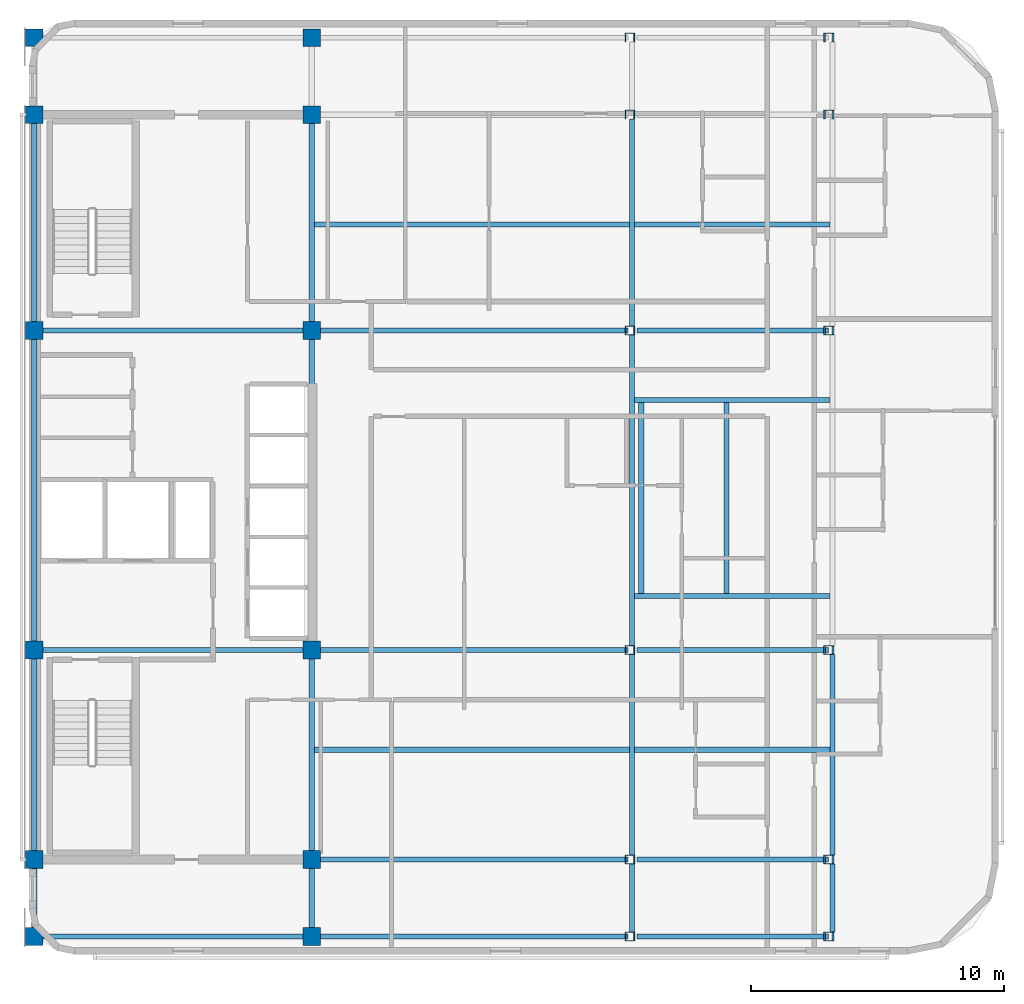
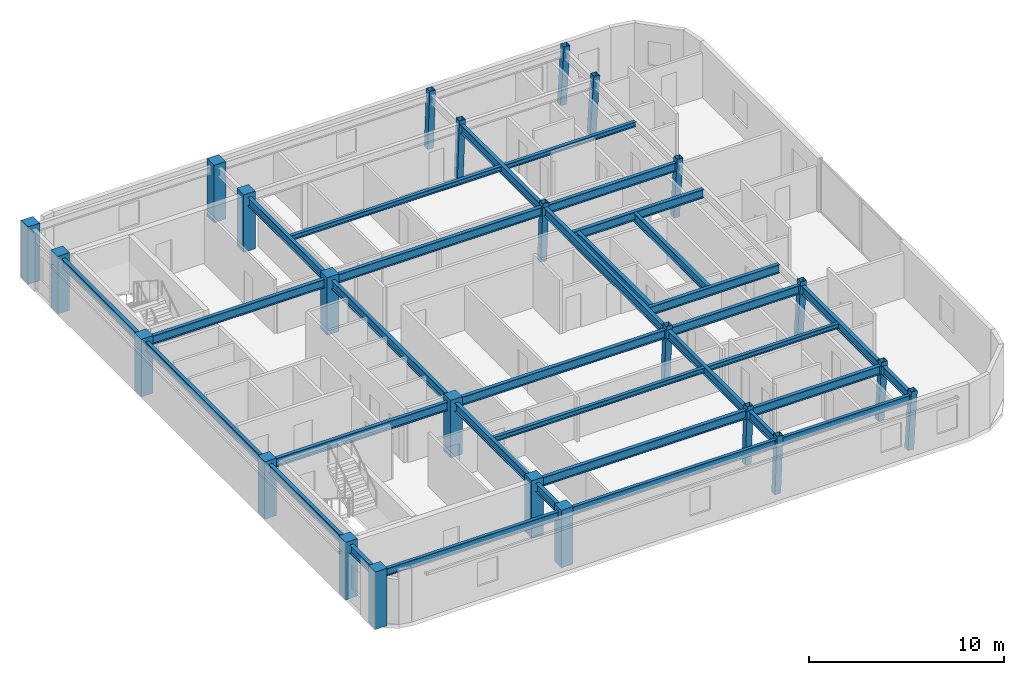
# One storey, part 1 of 10: 33 beams, 24 columns.
"""IFC4 building model written with IfcOpenShell, lengths in metres."""

from ifc_helpers import new_model, si_unit, direction, frame, origin, origin_2d, place, context, subcontext, project, spatial, rectangle, hollow_rectangle, i_section, extrude, material, material_profile, profile_set, type_object, element, save


model = new_model("IFC4")

# Units and contexts
model_context = context("Model", 3, precision=1e-05, world=origin(), true_north=direction((0.0, 1.0)))
body_context = subcontext(model_context, "Body", "Model", "MODEL_VIEW")
ifc_project = project(units=[si_unit("LENGTHUNIT", "METRE"), si_unit("AREAUNIT", "SQUARE_METRE"), si_unit("VOLUMEUNIT", "CUBIC_METRE"), si_unit("PLANEANGLEUNIT", "RADIAN"), si_unit("MASSUNIT", "GRAM", prefix="KILO")], contexts=[model_context])

# Site, building, storey
site_placement = place(None, origin())
site = spatial("IfcSite", under=ifc_project, at=site_placement, CompositionType="ELEMENT")
building_placement = place(site_placement, origin())
building = spatial("IfcBuilding", under=site, at=building_placement, Name="Ochreholt Gables", CompositionType="ELEMENT")
storey_placement = place(building_placement, frame((0.0, 0.0, 223.800048828125)))
storey = spatial("IfcBuildingStorey", under=building, at=storey_placement, Name="L58", CompositionType="ELEMENT", Elevation=223.800048828125)

# Columns
ifc_material_1 = material(Name="Steel CSA G40.21 350W", Category="steel")
ifc_material_profile_1 = material_profile(ifc_material_1, hollow_rectangle(XDim=0.35595703125, YDim=0.35595703125, WallThickness=0.01611328125, at=origin_2d()), Name="HSS356X356X16")
ifc_profile_set_1 = profile_set([ifc_material_profile_1], Name="Steel CSA G40.21 350W")
column_type_1 = type_object("IfcColumnType", Name="COL-HSS356-RAK", PredefinedType="COLUMN", material=ifc_profile_set_1)
for number, where, z_axis, x_axis, name in (
    (1, (47.76904296875, 9.25, 0.0), (0.034973505036, 0.0, 0.999388239847), (0.0, 1.0, 0.0), "L58 Column EMY2"),
    (2, (47.76904296875, 17.550048828125, 0.0), (0.034973505036, 0.0, 0.999388239847), (0.0, 1.0, 0.0), "L58 Column EMY3"),
    (3, (47.76904296875, 30.199951171875, 0.0), (0.034973505036, 0.0, 0.999388239847), (0.0, 1.0, 0.0), "L58 Column EMY4"),
    (4, (47.76904296875, 38.75, 0.0), (0.034973505036, 0.0, 0.999388239847), (0.0, 1.0, 0.0), "L58 Column EMY5"),
):
    element("IfcColumn", number, at=place(storey_placement, frame(where, z_axis=z_axis, x_axis=x_axis)), inside=storey, type_object=column_type_1, Name=name, PredefinedType="COLUMN", context=body_context, shape_type="SweptSolid", body=[
        extrude(hollow_rectangle(XDim=0.35595703125, YDim=0.35595703125, WallThickness=0.01611328125, at=origin_2d()), origin(), (0.0, 0.0, 1.0), 3.60205078125),
    ])
ifc_material_profile_2 = material_profile(ifc_material_1, hollow_rectangle(XDim=0.35595703125, YDim=0.35595703125, WallThickness=0.01611328125, at=origin_2d()), Name="HSS356X356X16")
ifc_profile_set_2 = profile_set([ifc_material_profile_2], Name="Steel CSA G40.21 350W")
column_type_2 = type_object("IfcColumnType", Name="COL-HSS356-RAKE", PredefinedType="COLUMN", material=ifc_profile_set_2)
for number, where, z_axis, x_axis, name in (
    (5, (47.76904296875, 6.199951171875, 0.0), (0.034973505036, 0.0, 0.999388239847), (0.0, 1.0, 0.0), "L58 Column EMY1"),
    (6, (47.76904296875, 41.800048828125, 0.0), (0.034973505036, 0.0, 0.999388239847), (0.0, 1.0, 0.0), "L58 Column EMY6"),
):
    element("IfcColumn", number, at=place(storey_placement, frame(where, z_axis=z_axis, x_axis=x_axis)), inside=storey, type_object=column_type_2, Name=name, PredefinedType="COLUMN", context=body_context, shape_type="SweptSolid", body=[
        extrude(hollow_rectangle(XDim=0.35595703125, YDim=0.35595703125, WallThickness=0.01611328125, at=origin_2d()), origin(), (0.0, 0.0, 1.0), 3.60205078125),
    ])
for number, where, z_axis, x_axis, name in (
    (7, (55.63720703125, 6.199951171875, 0.0), (0.057888518877, 0.0, 0.998323053617), (0.0, 1.0, 0.0), "L58 Column EEY1"),
    (8, (55.63720703125, 9.25, 0.0), (0.057888518877, 0.0, 0.998323053617), (0.0, 1.0, 0.0), "L58 Column EEY2"),
    (9, (55.63720703125, 17.550048828125, 0.0), (0.057888518877, 0.0, 0.998323053617), (0.0, 1.0, 0.0), "L58 Column EEY3"),
    (10, (55.63720703125, 30.199951171875, 0.0), (0.057888518877, 0.0, 0.998323053617), (0.0, 1.0, 0.0), "L58 Column EEY4"),
    (11, (55.63720703125, 38.75, 0.0), (0.057888518877, 0.0, 0.998323053617), (0.0, 1.0, 0.0), "L58 Column EEY5"),
    (12, (55.63720703125, 41.800048828125, 0.0), (0.057888518877, 0.0, 0.998323053617), (0.0, 1.0, 0.0), "L58 Column EEY6"),
):
    element("IfcColumn", number, at=place(storey_placement, frame(where, z_axis=z_axis, x_axis=x_axis)), inside=storey, type_object=column_type_2, Name=name, PredefinedType="COLUMN", context=body_context, shape_type="SweptSolid", body=[
        extrude(hollow_rectangle(XDim=0.35595703125, YDim=0.35595703125, WallThickness=0.01611328125, at=origin_2d()), origin(), (0.0, 0.0, 1.0), 3.60595703125),
    ])
ifc_material_2 = material(Name="Concrete 50 MPa", Category="concrete")
ifc_material_profile_3 = material_profile(ifc_material_2, rectangle(XDim=0.699951171875, YDim=0.699951171875, at=origin_2d()), Name="RC700X700")
ifc_profile_set_3 = profile_set([ifc_material_profile_3], Name="Concrete 50 MPa")
column_type_3 = type_object("IfcColumnType", Name="COL-RC700-EXT", PredefinedType="COLUMN", material=ifc_profile_set_3)
for number, where, z_axis, x_axis, name in (
    (13, (24.199951171875, 6.199951171875, 0.0), (0.0, 0.0, 1.0), (1.0, 0.0, 0.0), "L58 Column C1Y1"),
    (14, (24.199951171875, 9.25, 0.0), (0.0, 0.0, 1.0), (1.0, 0.0, 0.0), "L58 Column C1Y2"),
    (15, (24.199951171875, 17.550048828125, 0.0), (0.0, 0.0, 1.0), (1.0, 0.0, 0.0), "L58 Column C1Y3"),
    (16, (24.199951171875, 30.199951171875, 0.0), (0.0, 0.0, 1.0), (1.0, 0.0, 0.0), "L58 Column C1Y4"),
    (17, (24.199951171875, 38.75, 0.0), (0.0, 0.0, 1.0), (1.0, 0.0, 0.0), "L58 Column C1Y5"),
    (18, (24.199951171875, 41.800048828125, 0.0), (0.0, 0.0, 1.0), (1.0, 0.0, 0.0), "L58 Column C1Y6"),
    (19, (35.199951171875, 6.199951171875, 0.0), (0.0, 0.0, 1.0), (1.0, 0.0, 0.0), "L58 Column C2Y1"),
    (20, (35.199951171875, 41.800048828125, 0.0), (0.0, 0.0, 1.0), (1.0, 0.0, 0.0), "L58 Column C2Y6"),
):
    element("IfcColumn", number, at=place(storey_placement, frame(where, z_axis=z_axis, x_axis=x_axis)), inside=storey, type_object=column_type_3, Name=name, PredefinedType="COLUMN", context=body_context, shape_type="SweptSolid", body=[
        extrude(rectangle(XDim=0.699951171875, YDim=0.699951171875, at=origin_2d()), origin(), (0.0, 0.0, 1.0), 3.599853515625),
    ])
ifc_material_profile_4 = material_profile(ifc_material_2, rectangle(XDim=0.699951171875, YDim=0.699951171875, at=origin_2d()), Name="RC700X700")
ifc_profile_set_4 = profile_set([ifc_material_profile_4], Name="Concrete 50 MPa")
column_type_4 = type_object("IfcColumnType", Name="COL-RC700-INT", PredefinedType="COLUMN", material=ifc_profile_set_4)
for number, where, z_axis, x_axis, name in (
    (21, (35.199951171875, 9.25, 0.0), (0.0, 0.0, 1.0), (1.0, 0.0, 0.0), "L58 Column C2Y2"),
    (22, (35.199951171875, 17.550048828125, 0.0), (0.0, 0.0, 1.0), (1.0, 0.0, 0.0), "L58 Column C2Y3"),
    (23, (35.199951171875, 30.199951171875, 0.0), (0.0, 0.0, 1.0), (1.0, 0.0, 0.0), "L58 Column C2Y4"),
    (24, (35.199951171875, 38.75, 0.0), (0.0, 0.0, 1.0), (1.0, 0.0, 0.0), "L58 Column C2Y5"),
):
    element("IfcColumn", number, at=place(storey_placement, frame(where, z_axis=z_axis, x_axis=x_axis)), inside=storey, type_object=column_type_4, Name=name, PredefinedType="COLUMN", context=body_context, shape_type="SweptSolid", body=[
        extrude(rectangle(XDim=0.699951171875, YDim=0.699951171875, at=origin_2d()), origin(), (0.0, 0.0, 1.0), 3.599853515625),
    ])

# Beams
ifc_material_profile_5 = material_profile(ifc_material_1, i_section(OverallWidth=0.2109375, OverallDepth=0.5390625, WebThickness=0.01171875, FlangeThickness=0.018798828125, at=origin_2d()), Name="W530X109")
ifc_profile_set_5 = profile_set([ifc_material_profile_5], Name="Steel CSA G40.21 350W")
beam_type_1 = type_object("IfcBeamType", Name="BM-G-W530A", PredefinedType="BEAM", material=ifc_profile_set_5)
beam_1_placement = place(storey_placement, frame((35.549560546875, 9.25, 3.09033203125), z_axis=(1.0, 0.0, 0.0), x_axis=(0.0, 1.0, 0.0)))
element("IfcBeam", 25, at=beam_1_placement, inside=storey, type_object=beam_type_1, Name="L58 Beam TBG-L58-C2EM-Y2", PredefinedType="BEAM", context=body_context, shape_type="SweptSolid", body=[
    extrude(i_section(OverallWidth=0.2109375, OverallDepth=0.5390625, WebThickness=0.01171875, FlangeThickness=0.018798828125, at=origin_2d()), origin(), (0.0, 0.0, 1.0), 12.167724609375),
])
beam_2_placement = place(storey_placement, frame((48.072509765625, 9.25, 3.09033203125), z_axis=(1.0, 0.0, 0.0), x_axis=(0.0, 1.0, 0.0)))
element("IfcBeam", 26, at=beam_2_placement, inside=storey, type_object=beam_type_1, Name="L58 Beam TBG-L58-EMEE-Y2", PredefinedType="BEAM", context=body_context, shape_type="SweptSolid", body=[
    extrude(i_section(OverallWidth=0.2109375, OverallDepth=0.5390625, WebThickness=0.01171875, FlangeThickness=0.018798828125, at=origin_2d()), origin(), (0.0, 0.0, 1.0), 7.595947265625),
])
beam_3_placement = place(storey_placement, frame((24.549560546875, 17.550048828125, 3.09033203125), z_axis=(1.0, 0.0, 0.0), x_axis=(0.0, 1.0, 0.0)))
element("IfcBeam", 27, at=beam_3_placement, inside=storey, type_object=beam_type_1, Name="L58 Beam TBG-L58-C1C2-Y3", PredefinedType="BEAM", context=body_context, shape_type="SweptSolid", body=[
    extrude(i_section(OverallWidth=0.2109375, OverallDepth=0.5390625, WebThickness=0.01171875, FlangeThickness=0.018798828125, at=origin_2d()), origin(), (0.0, 0.0, 1.0), 10.30078125),
])
beam_4_placement = place(storey_placement, frame((35.549560546875, 17.550048828125, 3.09033203125), z_axis=(1.0, 0.0, 0.0), x_axis=(0.0, 1.0, 0.0)))
element("IfcBeam", 28, at=beam_4_placement, inside=storey, type_object=beam_type_1, Name="L58 Beam TBG-L58-C2EM-Y3", PredefinedType="BEAM", context=body_context, shape_type="SweptSolid", body=[
    extrude(i_section(OverallWidth=0.2109375, OverallDepth=0.5390625, WebThickness=0.01171875, FlangeThickness=0.018798828125, at=origin_2d()), origin(), (0.0, 0.0, 1.0), 12.167724609375),
])
beam_5_placement = place(storey_placement, frame((48.072509765625, 17.550048828125, 3.09033203125), z_axis=(1.0, 0.0, 0.0), x_axis=(0.0, 1.0, 0.0)))
element("IfcBeam", 29, at=beam_5_placement, inside=storey, type_object=beam_type_1, Name="L58 Beam TBG-L58-EMEE-Y3", PredefinedType="BEAM", context=body_context, shape_type="SweptSolid", body=[
    extrude(i_section(OverallWidth=0.2109375, OverallDepth=0.5390625, WebThickness=0.01171875, FlangeThickness=0.018798828125, at=origin_2d()), origin(), (0.0, 0.0, 1.0), 7.595947265625),
])
beam_6_placement = place(storey_placement, frame((24.549560546875, 30.199951171875, 3.09033203125), z_axis=(1.0, 0.0, 0.0), x_axis=(0.0, 1.0, 0.0)))
element("IfcBeam", 30, at=beam_6_placement, inside=storey, type_object=beam_type_1, Name="L58 Beam TBG-L58-C1C2-Y4", PredefinedType="BEAM", context=body_context, shape_type="SweptSolid", body=[
    extrude(i_section(OverallWidth=0.2109375, OverallDepth=0.5390625, WebThickness=0.01171875, FlangeThickness=0.018798828125, at=origin_2d()), origin(), (0.0, 0.0, 1.0), 10.30078125),
])
beam_7_placement = place(storey_placement, frame((35.549560546875, 30.199951171875, 3.09033203125), z_axis=(1.0, 0.0, 0.0), x_axis=(0.0, 1.0, 0.0)))
element("IfcBeam", 31, at=beam_7_placement, inside=storey, type_object=beam_type_1, Name="L58 Beam TBG-L58-C2EM-Y4", PredefinedType="BEAM", context=body_context, shape_type="SweptSolid", body=[
    extrude(i_section(OverallWidth=0.2109375, OverallDepth=0.5390625, WebThickness=0.01171875, FlangeThickness=0.018798828125, at=origin_2d()), origin(), (0.0, 0.0, 1.0), 12.167724609375),
])
beam_8_placement = place(storey_placement, frame((48.072509765625, 30.199951171875, 3.09033203125), z_axis=(1.0, 0.0, 0.0), x_axis=(0.0, 1.0, 0.0)))
element("IfcBeam", 32, at=beam_8_placement, inside=storey, type_object=beam_type_1, Name="L58 Beam TBG-L58-EMEE-Y4", PredefinedType="BEAM", context=body_context, shape_type="SweptSolid", body=[
    extrude(i_section(OverallWidth=0.2109375, OverallDepth=0.5390625, WebThickness=0.01171875, FlangeThickness=0.018798828125, at=origin_2d()), origin(), (0.0, 0.0, 1.0), 7.595947265625),
])
beam_9_placement = place(storey_placement, frame((24.199951171875, 6.549560546875, 3.09033203125), z_axis=(0.0, 1.0, 0.0), x_axis=(-1.0, 0.0, 0.0)))
element("IfcBeam", 33, at=beam_9_placement, inside=storey, type_object=beam_type_1, Name="L58 Beam TBN-L58-C1-Y1Y2", PredefinedType="BEAM", context=body_context, shape_type="SweptSolid", body=[
    extrude(i_section(OverallWidth=0.2109375, OverallDepth=0.5390625, WebThickness=0.01171875, FlangeThickness=0.018798828125, at=origin_2d()), origin(), (0.0, 0.0, 1.0), 2.350830078125),
])
beam_10_placement = place(storey_placement, frame((24.199951171875, 9.599609375, 3.09033203125), z_axis=(0.0, 1.0, 0.0), x_axis=(-1.0, 0.0, 0.0)))
element("IfcBeam", 34, at=beam_10_placement, inside=storey, type_object=beam_type_1, Name="L58 Beam TBN-L58-C1-Y2Y3", PredefinedType="BEAM", context=body_context, shape_type="SweptSolid", body=[
    extrude(i_section(OverallWidth=0.2109375, OverallDepth=0.5390625, WebThickness=0.01171875, FlangeThickness=0.018798828125, at=origin_2d()), origin(), (0.0, 0.0, 1.0), 7.600830078125),
])
beam_11_placement = place(storey_placement, frame((24.199951171875, 17.899658203125, 3.09033203125), z_axis=(0.0, 1.0, 0.0), x_axis=(-1.0, 0.0, 0.0)))
element("IfcBeam", 35, at=beam_11_placement, inside=storey, type_object=beam_type_1, Name="L58 Beam TBN-L58-C1-Y3Y4", PredefinedType="BEAM", context=body_context, shape_type="SweptSolid", body=[
    extrude(i_section(OverallWidth=0.2109375, OverallDepth=0.5390625, WebThickness=0.01171875, FlangeThickness=0.018798828125, at=origin_2d()), origin(), (0.0, 0.0, 1.0), 11.95068359375),
])
beam_12_placement = place(storey_placement, frame((24.199951171875, 30.549560546875, 3.09033203125), z_axis=(0.0, 1.0, 0.0), x_axis=(-1.0, 0.0, 0.0)))
element("IfcBeam", 36, at=beam_12_placement, inside=storey, type_object=beam_type_1, Name="L58 Beam TBN-L58-C1-Y4Y5", PredefinedType="BEAM", context=body_context, shape_type="SweptSolid", body=[
    extrude(i_section(OverallWidth=0.2109375, OverallDepth=0.5390625, WebThickness=0.01171875, FlangeThickness=0.018798828125, at=origin_2d()), origin(), (0.0, 0.0, 1.0), 7.850830078125),
])
beam_13_placement = place(storey_placement, frame((35.199951171875, 6.549560546875, 3.09033203125), z_axis=(0.0, 1.0, 0.0), x_axis=(-1.0, 0.0, 0.0)))
element("IfcBeam", 37, at=beam_13_placement, inside=storey, type_object=beam_type_1, Name="L58 Beam TBN-L58-C2-Y1Y2", PredefinedType="BEAM", context=body_context, shape_type="SweptSolid", body=[
    extrude(i_section(OverallWidth=0.2109375, OverallDepth=0.5390625, WebThickness=0.01171875, FlangeThickness=0.018798828125, at=origin_2d()), origin(), (0.0, 0.0, 1.0), 2.350830078125),
])
beam_14_placement = place(storey_placement, frame((35.199951171875, 9.599609375, 3.09033203125), z_axis=(0.0, 1.0, 0.0), x_axis=(-1.0, 0.0, 0.0)))
element("IfcBeam", 38, at=beam_14_placement, inside=storey, type_object=beam_type_1, Name="L58 Beam TBN-L58-C2-Y2Y3", PredefinedType="BEAM", context=body_context, shape_type="SweptSolid", body=[
    extrude(i_section(OverallWidth=0.2109375, OverallDepth=0.5390625, WebThickness=0.01171875, FlangeThickness=0.018798828125, at=origin_2d()), origin(), (0.0, 0.0, 1.0), 7.600830078125),
])
beam_15_placement = place(storey_placement, frame((35.199951171875, 17.899658203125, 3.09033203125), z_axis=(0.0, 1.0, 0.0), x_axis=(-1.0, 0.0, 0.0)))
element("IfcBeam", 39, at=beam_15_placement, inside=storey, type_object=beam_type_1, Name="L58 Beam TBN-L58-C2-Y3Y4", PredefinedType="BEAM", context=body_context, shape_type="SweptSolid", body=[
    extrude(i_section(OverallWidth=0.2109375, OverallDepth=0.5390625, WebThickness=0.01171875, FlangeThickness=0.018798828125, at=origin_2d()), origin(), (0.0, 0.0, 1.0), 11.95068359375),
])
beam_16_placement = place(storey_placement, frame((35.199951171875, 30.549560546875, 3.09033203125), z_axis=(0.0, 1.0, 0.0), x_axis=(-1.0, 0.0, 0.0)))
element("IfcBeam", 40, at=beam_16_placement, inside=storey, type_object=beam_type_1, Name="L58 Beam TBN-L58-C2-Y4Y5", PredefinedType="BEAM", context=body_context, shape_type="SweptSolid", body=[
    extrude(i_section(OverallWidth=0.2109375, OverallDepth=0.5390625, WebThickness=0.01171875, FlangeThickness=0.018798828125, at=origin_2d()), origin(), (0.0, 0.0, 1.0), 7.850830078125),
])
beam_17_placement = place(storey_placement, frame((47.8779296875, 6.377685546875, 3.09033203125), z_axis=(0.0, 1.0, 0.0), x_axis=(-1.0, 0.0, 0.0)))
element("IfcBeam", 41, at=beam_17_placement, inside=storey, type_object=beam_type_1, Name="L58 Beam TBN-L58-EM-Y1Y2", PredefinedType="BEAM", context=body_context, shape_type="SweptSolid", body=[
    extrude(i_section(OverallWidth=0.2109375, OverallDepth=0.5390625, WebThickness=0.01171875, FlangeThickness=0.018798828125, at=origin_2d()), origin(), (0.0, 0.0, 1.0), 2.69482421875),
])
beam_18_placement = place(storey_placement, frame((47.8779296875, 9.427490234375, 3.09033203125), z_axis=(0.0, 1.0, 0.0), x_axis=(-1.0, 0.0, 0.0)))
element("IfcBeam", 42, at=beam_18_placement, inside=storey, type_object=beam_type_1, Name="L58 Beam TBN-L58-EM-Y2Y3", PredefinedType="BEAM", context=body_context, shape_type="SweptSolid", body=[
    extrude(i_section(OverallWidth=0.2109375, OverallDepth=0.5390625, WebThickness=0.01171875, FlangeThickness=0.018798828125, at=origin_2d()), origin(), (0.0, 0.0, 1.0), 7.94482421875),
])
beam_19_placement = place(storey_placement, frame((47.8779296875, 17.7275390625, 3.09033203125), z_axis=(0.0, 1.0, 0.0), x_axis=(-1.0, 0.0, 0.0)))
element("IfcBeam", 43, at=beam_19_placement, inside=storey, type_object=beam_type_1, Name="L58 Beam TBN-L58-EM-Y3Y4", PredefinedType="BEAM", context=body_context, shape_type="SweptSolid", body=[
    extrude(i_section(OverallWidth=0.2109375, OverallDepth=0.5390625, WebThickness=0.01171875, FlangeThickness=0.018798828125, at=origin_2d()), origin(), (0.0, 0.0, 1.0), 12.294921875),
])
beam_20_placement = place(storey_placement, frame((47.8779296875, 30.377685546875, 3.09033203125), z_axis=(0.0, 1.0, 0.0), x_axis=(-1.0, 0.0, 0.0)))
element("IfcBeam", 44, at=beam_20_placement, inside=storey, type_object=beam_type_1, Name="L58 Beam TBN-L58-EM-Y4Y5", PredefinedType="BEAM", context=body_context, shape_type="SweptSolid", body=[
    extrude(i_section(OverallWidth=0.2109375, OverallDepth=0.5390625, WebThickness=0.01171875, FlangeThickness=0.018798828125, at=origin_2d()), origin(), (0.0, 0.0, 1.0), 8.19482421875),
])
beam_21_placement = place(storey_placement, frame((55.817626953125, 6.377685546875, 3.09033203125), z_axis=(0.0, 1.0, 0.0), x_axis=(-1.0, 0.0, 0.0)))
element("IfcBeam", 45, at=beam_21_placement, inside=storey, type_object=beam_type_1, Name="L58 Beam TBN-L58-EE-Y1Y2", PredefinedType="BEAM", context=body_context, shape_type="SweptSolid", body=[
    extrude(i_section(OverallWidth=0.2109375, OverallDepth=0.5390625, WebThickness=0.01171875, FlangeThickness=0.018798828125, at=origin_2d()), origin(), (0.0, 0.0, 1.0), 2.69482421875),
])
beam_22_placement = place(storey_placement, frame((55.817626953125, 9.427490234375, 3.09033203125), z_axis=(0.0, 1.0, 0.0), x_axis=(-1.0, 0.0, 0.0)))
element("IfcBeam", 46, at=beam_22_placement, inside=storey, type_object=beam_type_1, Name="L58 Beam TBN-L58-EE-Y2Y3", PredefinedType="BEAM", context=body_context, shape_type="SweptSolid", body=[
    extrude(i_section(OverallWidth=0.2109375, OverallDepth=0.5390625, WebThickness=0.01171875, FlangeThickness=0.018798828125, at=origin_2d()), origin(), (0.0, 0.0, 1.0), 7.94482421875),
])
for number, where, z_axis, x_axis, name in (
    (47, (47.98291015625, 19.68994140625, 3.09033203125), (1.0, 0.0, 0.0), (0.0, 1.0, 0.0), "L58 Beam TBH-L58-ST-C6-FSTLS"),
    (48, (47.98291015625, 27.449951171875, 3.09033203125), (1.0, 0.0, 0.0), (0.0, 1.0, 0.0), "L58 Beam TBH-L58-ST-C6-FSTLN"),
):
    element("IfcBeam", number, at=place(storey_placement, frame(where, z_axis=z_axis, x_axis=x_axis)), inside=storey, type_object=beam_type_1, Name=name, PredefinedType="BEAM", context=body_context, shape_type="SweptSolid", body=[
        extrude(i_section(OverallWidth=0.2109375, OverallDepth=0.5390625, WebThickness=0.01171875, FlangeThickness=0.018798828125, at=origin_2d()), origin(), (0.0, 0.0, 1.0), 7.7294921875),
    ])
for number, where, z_axis, x_axis, name in (
    (49, (48.239990234375, 19.795166015625, 3.09033203125), (0.0, 1.0, 0.0), (-1.0, 0.0, 0.0), "L58 Beam TBT-L58-ST-C6-FSTLW"),
    (50, (51.6201171875, 19.795166015625, 3.09033203125), (0.0, 1.0, 0.0), (-1.0, 0.0, 0.0), "L58 Beam TBT-L58-ST-C6-FSTLE"),
):
    element("IfcBeam", number, at=place(storey_placement, frame(where, z_axis=z_axis, x_axis=x_axis)), inside=storey, type_object=beam_type_1, Name=name, PredefinedType="BEAM", context=body_context, shape_type="SweptSolid", body=[
        extrude(i_section(OverallWidth=0.2109375, OverallDepth=0.5390625, WebThickness=0.01171875, FlangeThickness=0.018798828125, at=origin_2d()), origin(), (0.0, 0.0, 1.0), 7.5498046875),
    ])
ifc_material_profile_6 = material_profile(ifc_material_1, i_section(OverallWidth=0.202880859375, OverallDepth=0.302978515625, WebThickness=0.007568359375, FlangeThickness=0.01318359375, at=origin_2d()), Name="W310X60")
ifc_profile_set_6 = profile_set([ifc_material_profile_6], Name="Steel CSA G40.21 350W")
beam_type_2 = type_object("IfcBeamType", Name="BM-J-W310", PredefinedType="JOIST", material=ifc_profile_set_6)
beam_23_placement = place(storey_placement, frame((35.30517578125, 13.60009765625, 3.20849609375), z_axis=(1.0, 0.0, 0.0), x_axis=(0.0, 1.0, 0.0)))
element("IfcBeam", 51, at=beam_23_placement, inside=storey, type_object=beam_type_2, Name="L58 Beam TBJ-L58-J1-C2EM", PredefinedType="JOIST", context=body_context, shape_type="SweptSolid", body=[
    extrude(i_section(OverallWidth=0.202880859375, OverallDepth=0.302978515625, WebThickness=0.007568359375, FlangeThickness=0.01318359375, at=origin_2d()), origin(), (0.0, 0.0, 1.0), 12.467529296875),
])
beam_24_placement = place(storey_placement, frame((47.98291015625, 13.60009765625, 3.20849609375), z_axis=(1.0, 0.0, 0.0), x_axis=(0.0, 1.0, 0.0)))
element("IfcBeam", 52, at=beam_24_placement, inside=storey, type_object=beam_type_2, Name="L58 Beam TBJ-L58-J1-EMEE", PredefinedType="JOIST", context=body_context, shape_type="SweptSolid", body=[
    extrude(i_section(OverallWidth=0.202880859375, OverallDepth=0.302978515625, WebThickness=0.007568359375, FlangeThickness=0.01318359375, at=origin_2d()), origin(), (0.0, 0.0, 1.0), 7.7294921875),
])
beam_25_placement = place(storey_placement, frame((35.30517578125, 34.39990234375, 3.20849609375), z_axis=(1.0, 0.0, 0.0), x_axis=(0.0, 1.0, 0.0)))
element("IfcBeam", 53, at=beam_25_placement, inside=storey, type_object=beam_type_2, Name="L58 Beam TBJ-L58-J2-C2EM", PredefinedType="JOIST", context=body_context, shape_type="SweptSolid", body=[
    extrude(i_section(OverallWidth=0.202880859375, OverallDepth=0.302978515625, WebThickness=0.007568359375, FlangeThickness=0.01318359375, at=origin_2d()), origin(), (0.0, 0.0, 1.0), 12.467529296875),
])
beam_26_placement = place(storey_placement, frame((47.98291015625, 34.39990234375, 3.20849609375), z_axis=(1.0, 0.0, 0.0), x_axis=(0.0, 1.0, 0.0)))
element("IfcBeam", 54, at=beam_26_placement, inside=storey, type_object=beam_type_2, Name="L58 Beam TBJ-L58-J2-EMEE", PredefinedType="JOIST", context=body_context, shape_type="SweptSolid", body=[
    extrude(i_section(OverallWidth=0.202880859375, OverallDepth=0.302978515625, WebThickness=0.007568359375, FlangeThickness=0.01318359375, at=origin_2d()), origin(), (0.0, 0.0, 1.0), 7.7294921875),
])
ifc_material_profile_7 = material_profile(ifc_material_1, i_section(OverallWidth=0.19189453125, OverallDepth=0.462890625, WebThickness=0.010498046875, FlangeThickness=0.017578125, at=origin_2d()), Name="W460X89")
ifc_profile_set_7 = profile_set([ifc_material_profile_7], Name="Steel CSA G40.21 350W")
beam_type_3 = type_object("IfcBeamType", Name="BM-SP-W460A", PredefinedType="SPANDREL", material=ifc_profile_set_7)
beam_27_placement = place(storey_placement, frame((24.549560546875, 6.199951171875, 3.12841796875), z_axis=(1.0, 0.0, 0.0), x_axis=(0.0, 1.0, 0.0)))
element("IfcBeam", 55, at=beam_27_placement, inside=storey, type_object=beam_type_3, Name="L58 Beam TBG-L58-C1C2-Y1", PredefinedType="SPANDREL", context=body_context, shape_type="SweptSolid", body=[
    extrude(i_section(OverallWidth=0.19189453125, OverallDepth=0.462890625, WebThickness=0.010498046875, FlangeThickness=0.017578125, at=origin_2d()), origin(), (0.0, 0.0, 1.0), 10.30078125),
])
beam_28_placement = place(storey_placement, frame((35.549560546875, 6.199951171875, 3.12841796875), z_axis=(1.0, 0.0, 0.0), x_axis=(0.0, 1.0, 0.0)))
element("IfcBeam", 56, at=beam_28_placement, inside=storey, type_object=beam_type_3, Name="L58 Beam TBG-L58-C2EM-Y1", PredefinedType="SPANDREL", context=body_context, shape_type="SweptSolid", body=[
    extrude(i_section(OverallWidth=0.19189453125, OverallDepth=0.462890625, WebThickness=0.010498046875, FlangeThickness=0.017578125, at=origin_2d()), origin(), (0.0, 0.0, 1.0), 12.167724609375),
])
beam_29_placement = place(storey_placement, frame((48.072509765625, 6.199951171875, 3.12841796875), z_axis=(1.0, 0.0, 0.0), x_axis=(0.0, 1.0, 0.0)))
element("IfcBeam", 57, at=beam_29_placement, inside=storey, type_object=beam_type_3, Name="L58 Beam TBG-L58-EMEE-Y1", PredefinedType="SPANDREL", context=body_context, shape_type="SweptSolid", body=[
    extrude(i_section(OverallWidth=0.19189453125, OverallDepth=0.462890625, WebThickness=0.010498046875, FlangeThickness=0.017578125, at=origin_2d()), origin(), (0.0, 0.0, 1.0), 7.595947265625),
])

save(model, "model.ifc")
